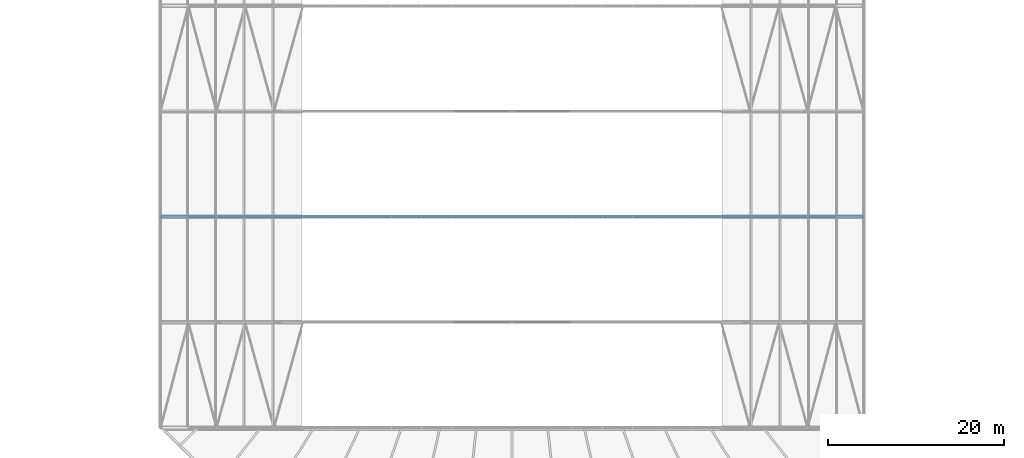
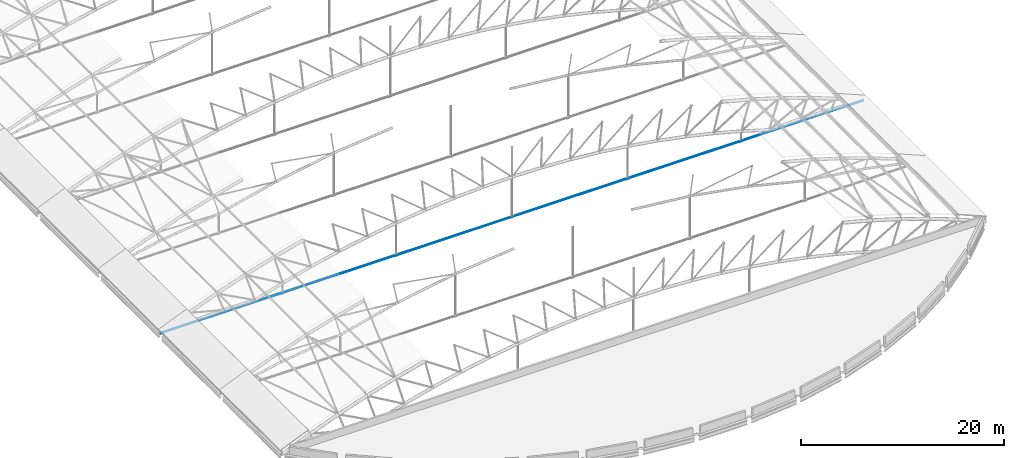
# One storey, part 33 of 321: 1 member.
"""IFC4 building model written with IfcOpenShell, lengths in metres."""

from ifc_helpers import new_model, si_unit, direction, frame, origin, origin_2d, place, context, subcontext, project, spatial, circle, extrude, material, material_profile, profile_set, type_object, element, save


model = new_model("IFC4")

# Units and contexts
model_context = context("Model", 3, precision=1e-05, world=origin(), true_north=direction((0.0, 1.0)))
body_context = subcontext(model_context, "Body", "Model", "MODEL_VIEW")
ifc_project = project(units=[si_unit("LENGTHUNIT", "METRE"), si_unit("AREAUNIT", "SQUARE_METRE"), si_unit("VOLUMEUNIT", "CUBIC_METRE"), si_unit("PLANEANGLEUNIT", "RADIAN"), si_unit("MASSUNIT", "GRAM", prefix="KILO")], contexts=[model_context])

# Site, building, storey
site_placement = place(None, origin())
site = spatial("IfcSite", under=ifc_project, at=site_placement, CompositionType="ELEMENT")
building_placement = place(site_placement, origin())
building = spatial("IfcBuilding", under=site, at=building_placement, Name="Ravi Spectrum Wholesale Market", CompositionType="ELEMENT")
storey_placement = place(building_placement, frame((0.0, 0.0, 10.800048828125)))
storey = spatial("IfcBuildingStorey", under=building, at=storey_placement, Name="L02", CompositionType="ELEMENT", Elevation=10.800048828125)

# Member
ifc_material = material(Name="Steel S460", Category="steel")
ifc_material_profile = material_profile(ifc_material, circle(Radius=0.044921875, at=origin_2d()))
ifc_profile_set = profile_set([ifc_material_profile], Name="Steel S460")
member_type = type_object("IfcMemberType", Name="ROD 90 tie", PredefinedType="BRACE", material=ifc_profile_set)
member_placement = place(storey_placement, frame((30.0, 54.0, 0.0), z_axis=(1.0, 0.0, 0.0), x_axis=(0.0, 1.0, 0.0)))
element("IfcMember", 1, at=member_placement, inside=storey, type_object=member_type, Name="H1-MB-L02-256", PredefinedType="BRACE", context=body_context, shape_type="SweptSolid", body=[
    extrude(circle(Radius=0.044921875, at=origin_2d()), origin(), (0.0, 0.0, 1.0), 80.0),
])

save(model, "model.ifc")
